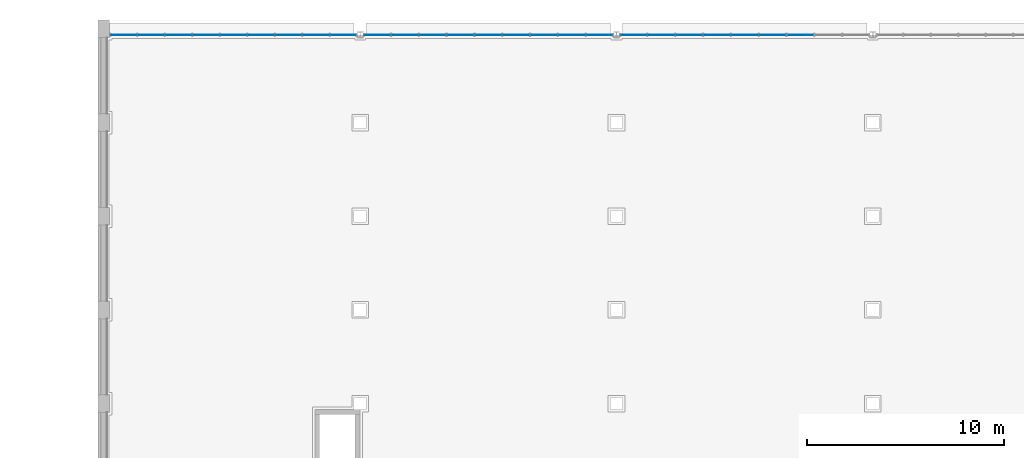
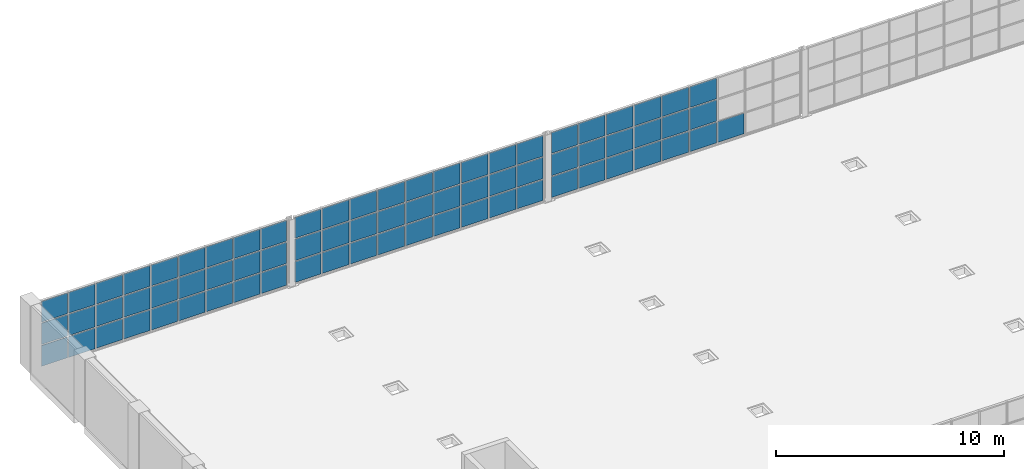
# One storey, part 39 of 82: 73 plates, 3 elements without a shape of their own.
"""IFC4 building model written with IfcOpenShell, lengths in metres."""

import ifcopenshell
import ifcopenshell.guid

model = None  # the IFC model being written
_history = None  # IfcOwnerHistory: only IFC2X3 demands one
_inside = {}  # id of a spatial element -> (the spatial element, [elements in it])
_under = {}  # id of a project, library or spatial element -> (it, [spatial elements below it])
_declared = {}  # id of a project -> (the project, [libraries it declares])
_typed = {}  # id of a type object -> (the type object, [elements of that type])
_made_of = {}  # id of a material, layer set ... -> (it, [elements and type objects made of it])


def new_model(schema):
    """Start an empty IFC model of exactly this schema.

    Asked for "IFC4X3", IfcOpenShell would pick the latest addendum, in which some entities
    have other attributes; the version numbers below select the first issue.
    IFC2X3 requires an IfcOwnerHistory on every rooted entity: one is made here for all.
    """
    global model, _history
    if schema == "IFC4X3":
        model = ifcopenshell.file(schema_version=(4, 3, 0, 0))
    else:
        model = ifcopenshell.file(schema=schema)
    _inside.clear()
    _under.clear()
    _declared.clear()
    _typed.clear()
    _made_of.clear()
    _history = None
    if model.schema == "IFC2X3":
        org = make("IfcOrganization", Name="unknown")
        user = make(
            "IfcPersonAndOrganization",
            ThePerson=make("IfcPerson", FamilyName="unknown"),
            TheOrganization=org,
        )
        app = make(
            "IfcApplication",
            ApplicationDeveloper=org,
            Version="unknown",
            ApplicationFullName="unknown",
            ApplicationIdentifier="unknown",
        )
        _history = make(
            "IfcOwnerHistory",
            OwningUser=user,
            OwningApplication=app,
            ChangeAction="ADDED",
            CreationDate=0,
        )
    return model


def make(cls, **values):
    """One entity of the class cls with the attributes given. An attribute that is None is left unset."""
    return model.create_entity(
        cls, **{name: value for name, value in values.items() if value is not None}
    )


def rooted(cls, **values):
    """An entity with a GlobalId (a new one), such as an element, a storey or a relation."""
    return make(cls, GlobalId=ifcopenshell.guid.new(), OwnerHistory=_history, **values)


def si_unit(unit_type, name, prefix=None):
    """IfcSIUnit, for example si_unit("LENGTHUNIT", "METRE", prefix="MILLI")."""
    return make("IfcSIUnit", UnitType=unit_type, Prefix=prefix, Name=name)


def assignment(units):
    """IfcUnitAssignment: the units of a project."""
    return None if units is None else make("IfcUnitAssignment", Units=units)


def point(xyz):
    """IfcCartesianPoint."""
    return None if xyz is None else make("IfcCartesianPoint", Coordinates=xyz)


def direction(xyz):
    """IfcDirection."""
    return None if xyz is None else make("IfcDirection", DirectionRatios=xyz)


def frame(location, z_axis=None, x_axis=None):
    """IfcAxis2Placement3D, a coordinate frame: its origin and axes. An axis left out is left unset."""
    return make(
        "IfcAxis2Placement3D",
        Location=point(location),
        Axis=direction(z_axis),
        RefDirection=direction(x_axis),
    )


def frame_2d(location, x_axis=None):
    """IfcAxis2Placement2D, a coordinate frame in the plane: its origin and x axis."""
    return make(
        "IfcAxis2Placement2D", Location=point(location), RefDirection=direction(x_axis)
    )


def origin():
    """The frame at (0, 0, 0) with its axes left unset."""
    return frame((0.0, 0.0, 0.0))


def origin_2d():
    """The frame at (0, 0) in the plane with its x axis left unset."""
    return frame_2d((0.0, 0.0))


def place(relative_to, where):
    """IfcLocalPlacement: puts the frame where relative to a parent placement (None: the world)."""
    return make(
        "IfcLocalPlacement", PlacementRelTo=relative_to, RelativePlacement=where
    )


def context(
    kind, dimensions, precision=None, world=None, true_north=None, identifier=None
):
    """IfcGeometricRepresentationContext, for example the 3D "Model" context."""
    return make(
        "IfcGeometricRepresentationContext",
        ContextIdentifier=identifier,
        ContextType=kind,
        CoordinateSpaceDimension=dimensions,
        Precision=precision,
        WorldCoordinateSystem=world,
        TrueNorth=true_north,
    )


def subcontext(parent, identifier, kind, view, scale=None):
    """IfcGeometricRepresentationSubContext, for example "Body" below "Model"."""
    return make(
        "IfcGeometricRepresentationSubContext",
        ContextIdentifier=identifier,
        ContextType=kind,
        ParentContext=parent,
        TargetScale=scale,
        TargetView=view,
    )


def project(units=None, contexts=None):
    """IfcProject with its units and contexts."""
    return rooted(
        "IfcProject",
        Name="project",
        RepresentationContexts=contexts,
        UnitsInContext=assignment(units),
    )


def spatial(cls, under=None, at=None, **own):
    """A site, building, storey or space (cls), placed at a placement, below another one or the project."""
    s = rooted(cls, ObjectPlacement=at, **own)
    if under is not None:
        _under.setdefault(under.id(), (under, []))[1].append(s)
    return s


def profile(cls, at=None, kind="AREA", **sizes):
    """A parametric profile (cls). Its sizes go by their IFC names, for example OverallWidth=200.0."""
    return make(cls, ProfileType=kind, Position=at, **sizes)


def rectangle(**sizes):
    """IfcRectangleProfileDef."""
    return profile("IfcRectangleProfileDef", **sizes)


def extrude(swept, where, along, depth):
    """IfcExtrudedAreaSolid: the profile swept, set in the frame where, extruded along a direction by depth."""
    return make(
        "IfcExtrudedAreaSolid",
        SweptArea=swept,
        Position=where,
        ExtrudedDirection=direction(along),
        Depth=depth,
    )


def shape(context_of_items, identifier, shape_type, items):
    """IfcShapeRepresentation: the items that make up one representation, for example the "Body"."""
    return make(
        "IfcShapeRepresentation",
        ContextOfItems=context_of_items,
        RepresentationIdentifier=identifier,
        RepresentationType=shape_type,
        Items=items,
    )


def material(Name=None, Category=None):
    """IfcMaterial."""
    return make("IfcMaterial", Name=Name, Category=Category)


def layer(
    of_material, thickness, ventilated=None, Name=None, Category=None, Priority=None
):
    """IfcMaterialLayer: one layer of a wall or slab, of a material (None: an air gap)."""
    return make(
        "IfcMaterialLayer",
        Material=of_material,
        LayerThickness=thickness,
        IsVentilated=ventilated,
        Name=Name,
        Category=Category,
        Priority=Priority,
    )


def layer_set(layers, Name=None):
    """IfcMaterialLayerSet."""
    return make("IfcMaterialLayerSet", MaterialLayers=layers, LayerSetName=Name)


def made_of(thing, what):
    """Note that an element or type object is made of a material, layer set ...; save() writes the relation."""
    if what is not None:
        _made_of.setdefault(what.id(), (what, []))[1].append(thing)
    return thing


def type_object(cls, material=None, **own):
    """A type object (cls), such as IfcWallType, which elements share."""
    return made_of(rooted(cls, **own), material)


def element(
    cls,
    number,
    at=None,
    inside=None,
    cuts=None,
    type_object=None,
    material=None,
    context=None,
    identifier="Body",
    shape_type=None,
    held_by="IfcProductDefinitionShape",
    body=None,
    shapes=None,
    **own,
):
    """One element of the class cls, such as IfcWall. Its Tag is "e" and its number.

    at: its placement. inside: the storey or other place that contains it. cuts: it is an
    opening in that element (IfcRelVoidsElement). A single representation is given by context,
    identifier, shape_type and body (its items); several are given by shapes. held_by: the class
    of the entity that holds the representations. save() writes the other relations.
    """
    e = rooted(cls, Tag="e%d" % number, ObjectPlacement=at, **own)
    if body is not None:
        shapes = [shape(context, identifier, shape_type, body)]
    if shapes is not None:
        e.Representation = make(held_by, Representations=shapes)
    if inside is not None:
        _inside.setdefault(inside.id(), (inside, []))[1].append(e)
    if cuts is not None:
        rooted(
            "IfcRelVoidsElement", RelatingBuildingElement=cuts, RelatedOpeningElement=e
        )
    if type_object is not None:
        _typed.setdefault(type_object.id(), (type_object, []))[1].append(e)
    return made_of(e, material)


def aggregate(whole, parts):
    """IfcRelAggregates: a whole, such as a stair, and the parts it consists of."""
    return rooted("IfcRelAggregates", RelatingObject=whole, RelatedObjects=parts)


def save(model, path):
    """Write the relations noted so far, then the file.

    IfcRelAggregates (storeys below a building ...), IfcRelContainedInSpatialStructure (elements
    in a storey), IfcRelDefinesByType, IfcRelAssociatesMaterial and IfcRelDeclares: one each for
    every whole, place, type object, material and project.
    """
    for whole, parts in _under.values():
        aggregate(whole, parts)
    for where, things in _inside.values():
        rooted(
            "IfcRelContainedInSpatialStructure",
            RelatedElements=things,
            RelatingStructure=where,
        )
    for kind, things in _typed.values():
        rooted("IfcRelDefinesByType", RelatedObjects=things, RelatingType=kind)
    for what, things in _made_of.values():
        rooted("IfcRelAssociatesMaterial", RelatedObjects=things, RelatingMaterial=what)
    for by, libraries in _declared.values():
        rooted("IfcRelDeclares", RelatingContext=by, RelatedDefinitions=libraries)
    model.write(path)


model = new_model("IFC4")

# Units and contexts
model_context = context("Model", 3, precision=1e-05, world=origin(), true_north=direction((0.0, 1.0)))
body_context = subcontext(model_context, "Body", "Model", "MODEL_VIEW")
ifc_project = project(units=[si_unit("LENGTHUNIT", "METRE"), si_unit("AREAUNIT", "SQUARE_METRE"), si_unit("VOLUMEUNIT", "CUBIC_METRE"), si_unit("PLANEANGLEUNIT", "RADIAN"), si_unit("MASSUNIT", "GRAM", prefix="KILO")], contexts=[model_context])

# Site, building, storey
site_placement = place(None, origin())
site = spatial("IfcSite", under=ifc_project, at=site_placement, CompositionType="ELEMENT")
building_placement = place(site_placement, origin())
building = spatial("IfcBuilding", under=site, at=building_placement, Name="Elbe Cascade School", CompositionType="ELEMENT")
storey_placement = place(building_placement, frame((0.0, 0.0, 4.5)))
storey = spatial("IfcBuildingStorey", under=building, at=storey_placement, Name="L01", CompositionType="ELEMENT", Elevation=4.5)

# Curtain wall, plates
ifc_material_1 = material(Name="Glass - double glazed low-E", Category="glass")
curtain_wall_type = type_object("IfcCurtainWallType", Name="Hall gable curtain wall", PredefinedType="NOTDEFINED", material=ifc_material_1)
curtain_wall_1_placement = place(storey_placement, origin())
curtain_wall_1 = element("IfcCurtainWall", 1, at=curtain_wall_1_placement, inside=storey, type_object=curtain_wall_type, Name="Gable curtain wall N1", PredefinedType="NOTDEFINED")
ifc_material_2 = material(Name="Glass - double glazed low-E", Category="glass")
ifc_layer = layer(ifc_material_2, 0.028076171875)
ifc_layer_set = layer_set([ifc_layer], Name="Glass - double glazed low-E")
plate_type = type_object("IfcPlateType", Name="Hall gable glass panel", PredefinedType="CURTAIN_PANEL", material=ifc_layer_set)
plate_1_placement = place(storey_placement, frame((9.01220703125, 69.199951171875, 0.06005859375), z_axis=(0.0, 0.0, 1.0), x_axis=(1.0, 0.0, 0.0)))
plate_1 = element("IfcPlate", 2, at=plate_1_placement, type_object=plate_type, Name="CW6 panel 1.1", PredefinedType="CURTAIN_PANEL", context=body_context, shape_type="SweptSolid", body=[
    extrude(rectangle(XDim=1.304443359375, YDim=0.028076171875, at=origin_2d()), origin(), (0.0, 0.0, 1.0), 1.110107421875),
])
plate_2_placement = place(storey_placement, frame((9.01220703125, 69.199951171875, 1.22998046875), z_axis=(0.0, 0.0, 1.0), x_axis=(1.0, 0.0, 0.0)))
plate_2 = element("IfcPlate", 3, at=plate_2_placement, type_object=plate_type, Name="CW6 panel 1.2", PredefinedType="CURTAIN_PANEL", context=body_context, shape_type="SweptSolid", body=[
    extrude(rectangle(XDim=1.304443359375, YDim=0.028076171875, at=origin_2d()), origin(), (0.0, 0.0, 1.0), 1.139892578125),
])
plate_3_placement = place(storey_placement, frame((9.01220703125, 69.199951171875, 2.43017578125), z_axis=(0.0, 0.0, 1.0), x_axis=(1.0, 0.0, 0.0)))
plate_3 = element("IfcPlate", 4, at=plate_3_placement, type_object=plate_type, Name="CW6 panel 1.3", PredefinedType="CURTAIN_PANEL", context=body_context, shape_type="SweptSolid", body=[
    extrude(rectangle(XDim=1.304443359375, YDim=0.028076171875, at=origin_2d()), origin(), (0.0, 0.0, 1.0), 1.110107421875),
])
plate_4_placement = place(storey_placement, frame((10.3916015625, 69.199951171875, 0.06005859375), z_axis=(0.0, 0.0, 1.0), x_axis=(1.0, 0.0, 0.0)))
plate_4 = element("IfcPlate", 5, at=plate_4_placement, type_object=plate_type, Name="CW6 panel 2.1", PredefinedType="CURTAIN_PANEL", context=body_context, shape_type="SweptSolid", body=[
    extrude(rectangle(XDim=1.33447265625, YDim=0.028076171875, at=origin_2d()), origin(), (0.0, 0.0, 1.0), 1.110107421875),
])
plate_5_placement = place(storey_placement, frame((10.3916015625, 69.199951171875, 1.22998046875), z_axis=(0.0, 0.0, 1.0), x_axis=(1.0, 0.0, 0.0)))
plate_5 = element("IfcPlate", 6, at=plate_5_placement, type_object=plate_type, Name="CW6 panel 2.2", PredefinedType="CURTAIN_PANEL", context=body_context, shape_type="SweptSolid", body=[
    extrude(rectangle(XDim=1.33447265625, YDim=0.028076171875, at=origin_2d()), origin(), (0.0, 0.0, 1.0), 1.139892578125),
])
plate_6_placement = place(storey_placement, frame((10.3916015625, 69.199951171875, 2.43017578125), z_axis=(0.0, 0.0, 1.0), x_axis=(1.0, 0.0, 0.0)))
plate_6 = element("IfcPlate", 7, at=plate_6_placement, type_object=plate_type, Name="CW6 panel 2.3", PredefinedType="CURTAIN_PANEL", context=body_context, shape_type="SweptSolid", body=[
    extrude(rectangle(XDim=1.33447265625, YDim=0.028076171875, at=origin_2d()), origin(), (0.0, 0.0, 1.0), 1.110107421875),
])
plate_7_placement = place(storey_placement, frame((11.7861328125, 69.199951171875, 0.06005859375), z_axis=(0.0, 0.0, 1.0), x_axis=(1.0, 0.0, 0.0)))
plate_7 = element("IfcPlate", 8, at=plate_7_placement, type_object=plate_type, Name="CW6 panel 3.1", PredefinedType="CURTAIN_PANEL", context=body_context, shape_type="SweptSolid", body=[
    extrude(rectangle(XDim=1.33447265625, YDim=0.028076171875, at=origin_2d()), origin(), (0.0, 0.0, 1.0), 1.110107421875),
])
plate_8_placement = place(storey_placement, frame((11.7861328125, 69.199951171875, 1.22998046875), z_axis=(0.0, 0.0, 1.0), x_axis=(1.0, 0.0, 0.0)))
plate_8 = element("IfcPlate", 9, at=plate_8_placement, type_object=plate_type, Name="CW6 panel 3.2", PredefinedType="CURTAIN_PANEL", context=body_context, shape_type="SweptSolid", body=[
    extrude(rectangle(XDim=1.33447265625, YDim=0.028076171875, at=origin_2d()), origin(), (0.0, 0.0, 1.0), 1.139892578125),
])
plate_9_placement = place(storey_placement, frame((11.7861328125, 69.199951171875, 2.43017578125), z_axis=(0.0, 0.0, 1.0), x_axis=(1.0, 0.0, 0.0)))
plate_9 = element("IfcPlate", 10, at=plate_9_placement, type_object=plate_type, Name="CW6 panel 3.3", PredefinedType="CURTAIN_PANEL", context=body_context, shape_type="SweptSolid", body=[
    extrude(rectangle(XDim=1.33447265625, YDim=0.028076171875, at=origin_2d()), origin(), (0.0, 0.0, 1.0), 1.110107421875),
])
plate_10_placement = place(storey_placement, frame((13.1806640625, 69.199951171875, 0.06005859375), z_axis=(0.0, 0.0, 1.0), x_axis=(1.0, 0.0, 0.0)))
plate_10 = element("IfcPlate", 11, at=plate_10_placement, type_object=plate_type, Name="CW6 panel 4.1", PredefinedType="CURTAIN_PANEL", context=body_context, shape_type="SweptSolid", body=[
    extrude(rectangle(XDim=1.33447265625, YDim=0.028076171875, at=origin_2d()), origin(), (0.0, 0.0, 1.0), 1.110107421875),
])
plate_11_placement = place(storey_placement, frame((13.1806640625, 69.199951171875, 1.22998046875), z_axis=(0.0, 0.0, 1.0), x_axis=(1.0, 0.0, 0.0)))
plate_11 = element("IfcPlate", 12, at=plate_11_placement, type_object=plate_type, Name="CW6 panel 4.2", PredefinedType="CURTAIN_PANEL", context=body_context, shape_type="SweptSolid", body=[
    extrude(rectangle(XDim=1.33447265625, YDim=0.028076171875, at=origin_2d()), origin(), (0.0, 0.0, 1.0), 1.139892578125),
])
plate_12_placement = place(storey_placement, frame((13.1806640625, 69.199951171875, 2.43017578125), z_axis=(0.0, 0.0, 1.0), x_axis=(1.0, 0.0, 0.0)))
plate_12 = element("IfcPlate", 13, at=plate_12_placement, type_object=plate_type, Name="CW6 panel 4.3", PredefinedType="CURTAIN_PANEL", context=body_context, shape_type="SweptSolid", body=[
    extrude(rectangle(XDim=1.33447265625, YDim=0.028076171875, at=origin_2d()), origin(), (0.0, 0.0, 1.0), 1.110107421875),
])
plate_13_placement = place(storey_placement, frame((14.574951171875, 69.199951171875, 0.06005859375), z_axis=(0.0, 0.0, 1.0), x_axis=(1.0, 0.0, 0.0)))
plate_13 = element("IfcPlate", 14, at=plate_13_placement, type_object=plate_type, Name="CW6 panel 5.1", PredefinedType="CURTAIN_PANEL", context=body_context, shape_type="SweptSolid", body=[
    extrude(rectangle(XDim=1.33447265625, YDim=0.028076171875, at=origin_2d()), origin(), (0.0, 0.0, 1.0), 1.110107421875),
])
plate_14_placement = place(storey_placement, frame((14.574951171875, 69.199951171875, 1.22998046875), z_axis=(0.0, 0.0, 1.0), x_axis=(1.0, 0.0, 0.0)))
plate_14 = element("IfcPlate", 15, at=plate_14_placement, type_object=plate_type, Name="CW6 panel 5.2", PredefinedType="CURTAIN_PANEL", context=body_context, shape_type="SweptSolid", body=[
    extrude(rectangle(XDim=1.33447265625, YDim=0.028076171875, at=origin_2d()), origin(), (0.0, 0.0, 1.0), 1.139892578125),
])
plate_15_placement = place(storey_placement, frame((14.574951171875, 69.199951171875, 2.43017578125), z_axis=(0.0, 0.0, 1.0), x_axis=(1.0, 0.0, 0.0)))
plate_15 = element("IfcPlate", 16, at=plate_15_placement, type_object=plate_type, Name="CW6 panel 5.3", PredefinedType="CURTAIN_PANEL", context=body_context, shape_type="SweptSolid", body=[
    extrude(rectangle(XDim=1.33447265625, YDim=0.028076171875, at=origin_2d()), origin(), (0.0, 0.0, 1.0), 1.110107421875),
])
plate_16_placement = place(storey_placement, frame((15.969482421875, 69.199951171875, 0.06005859375), z_axis=(0.0, 0.0, 1.0), x_axis=(1.0, 0.0, 0.0)))
plate_16 = element("IfcPlate", 17, at=plate_16_placement, type_object=plate_type, Name="CW6 panel 6.1", PredefinedType="CURTAIN_PANEL", context=body_context, shape_type="SweptSolid", body=[
    extrude(rectangle(XDim=1.33447265625, YDim=0.028076171875, at=origin_2d()), origin(), (0.0, 0.0, 1.0), 1.110107421875),
])
plate_17_placement = place(storey_placement, frame((15.969482421875, 69.199951171875, 1.22998046875), z_axis=(0.0, 0.0, 1.0), x_axis=(1.0, 0.0, 0.0)))
plate_17 = element("IfcPlate", 18, at=plate_17_placement, type_object=plate_type, Name="CW6 panel 6.2", PredefinedType="CURTAIN_PANEL", context=body_context, shape_type="SweptSolid", body=[
    extrude(rectangle(XDim=1.33447265625, YDim=0.028076171875, at=origin_2d()), origin(), (0.0, 0.0, 1.0), 1.139892578125),
])
plate_18_placement = place(storey_placement, frame((15.969482421875, 69.199951171875, 2.43017578125), z_axis=(0.0, 0.0, 1.0), x_axis=(1.0, 0.0, 0.0)))
plate_18 = element("IfcPlate", 19, at=plate_18_placement, type_object=plate_type, Name="CW6 panel 6.3", PredefinedType="CURTAIN_PANEL", context=body_context, shape_type="SweptSolid", body=[
    extrude(rectangle(XDim=1.33447265625, YDim=0.028076171875, at=origin_2d()), origin(), (0.0, 0.0, 1.0), 1.110107421875),
])
plate_19_placement = place(storey_placement, frame((17.36376953125, 69.199951171875, 0.06005859375), z_axis=(0.0, 0.0, 1.0), x_axis=(1.0, 0.0, 0.0)))
plate_19 = element("IfcPlate", 20, at=plate_19_placement, type_object=plate_type, Name="CW6 panel 7.1", PredefinedType="CURTAIN_PANEL", context=body_context, shape_type="SweptSolid", body=[
    extrude(rectangle(XDim=1.33447265625, YDim=0.028076171875, at=origin_2d()), origin(), (0.0, 0.0, 1.0), 1.110107421875),
])
plate_20_placement = place(storey_placement, frame((17.36376953125, 69.199951171875, 1.22998046875), z_axis=(0.0, 0.0, 1.0), x_axis=(1.0, 0.0, 0.0)))
plate_20 = element("IfcPlate", 21, at=plate_20_placement, type_object=plate_type, Name="CW6 panel 7.2", PredefinedType="CURTAIN_PANEL", context=body_context, shape_type="SweptSolid", body=[
    extrude(rectangle(XDim=1.33447265625, YDim=0.028076171875, at=origin_2d()), origin(), (0.0, 0.0, 1.0), 1.139892578125),
])
plate_21_placement = place(storey_placement, frame((17.36376953125, 69.199951171875, 2.43017578125), z_axis=(0.0, 0.0, 1.0), x_axis=(1.0, 0.0, 0.0)))
plate_21 = element("IfcPlate", 22, at=plate_21_placement, type_object=plate_type, Name="CW6 panel 7.3", PredefinedType="CURTAIN_PANEL", context=body_context, shape_type="SweptSolid", body=[
    extrude(rectangle(XDim=1.33447265625, YDim=0.028076171875, at=origin_2d()), origin(), (0.0, 0.0, 1.0), 1.110107421875),
])
plate_22_placement = place(storey_placement, frame((18.75830078125, 69.199951171875, 0.06005859375), z_axis=(0.0, 0.0, 1.0), x_axis=(1.0, 0.0, 0.0)))
plate_22 = element("IfcPlate", 23, at=plate_22_placement, type_object=plate_type, Name="CW6 panel 8.1", PredefinedType="CURTAIN_PANEL", context=body_context, shape_type="SweptSolid", body=[
    extrude(rectangle(XDim=1.33447265625, YDim=0.028076171875, at=origin_2d()), origin(), (0.0, 0.0, 1.0), 1.110107421875),
])
plate_23_placement = place(storey_placement, frame((18.75830078125, 69.199951171875, 1.22998046875), z_axis=(0.0, 0.0, 1.0), x_axis=(1.0, 0.0, 0.0)))
plate_23 = element("IfcPlate", 24, at=plate_23_placement, type_object=plate_type, Name="CW6 panel 8.2", PredefinedType="CURTAIN_PANEL", context=body_context, shape_type="SweptSolid", body=[
    extrude(rectangle(XDim=1.33447265625, YDim=0.028076171875, at=origin_2d()), origin(), (0.0, 0.0, 1.0), 1.139892578125),
])
plate_24_placement = place(storey_placement, frame((18.75830078125, 69.199951171875, 2.43017578125), z_axis=(0.0, 0.0, 1.0), x_axis=(1.0, 0.0, 0.0)))
plate_24 = element("IfcPlate", 25, at=plate_24_placement, type_object=plate_type, Name="CW6 panel 8.3", PredefinedType="CURTAIN_PANEL", context=body_context, shape_type="SweptSolid", body=[
    extrude(rectangle(XDim=1.33447265625, YDim=0.028076171875, at=origin_2d()), origin(), (0.0, 0.0, 1.0), 1.110107421875),
])
plate_25_placement = place(storey_placement, frame((20.1376953125, 69.199951171875, 0.06005859375), z_axis=(0.0, 0.0, 1.0), x_axis=(1.0, 0.0, 0.0)))
plate_25 = element("IfcPlate", 26, at=plate_25_placement, type_object=plate_type, Name="CW6 panel 9.1", PredefinedType="CURTAIN_PANEL", context=body_context, shape_type="SweptSolid", body=[
    extrude(rectangle(XDim=1.304443359375, YDim=0.028076171875, at=origin_2d()), origin(), (0.0, 0.0, 1.0), 1.110107421875),
])
plate_26_placement = place(storey_placement, frame((20.1376953125, 69.199951171875, 1.22998046875), z_axis=(0.0, 0.0, 1.0), x_axis=(1.0, 0.0, 0.0)))
plate_26 = element("IfcPlate", 27, at=plate_26_placement, type_object=plate_type, Name="CW6 panel 9.2", PredefinedType="CURTAIN_PANEL", context=body_context, shape_type="SweptSolid", body=[
    extrude(rectangle(XDim=1.304443359375, YDim=0.028076171875, at=origin_2d()), origin(), (0.0, 0.0, 1.0), 1.139892578125),
])
plate_27_placement = place(storey_placement, frame((20.1376953125, 69.199951171875, 2.43017578125), z_axis=(0.0, 0.0, 1.0), x_axis=(1.0, 0.0, 0.0)))
plate_27 = element("IfcPlate", 28, at=plate_27_placement, type_object=plate_type, Name="CW6 panel 9.3", PredefinedType="CURTAIN_PANEL", context=body_context, shape_type="SweptSolid", body=[
    extrude(rectangle(XDim=1.304443359375, YDim=0.028076171875, at=origin_2d()), origin(), (0.0, 0.0, 1.0), 1.110107421875),
])
aggregate(curtain_wall_1, [plate_1, plate_2, plate_3, plate_4, plate_5, plate_6, plate_7, plate_8, plate_9, plate_10, plate_11, plate_12, plate_13, plate_14, plate_15, plate_16, plate_17, plate_18, plate_19, plate_20, plate_21, plate_22, plate_23, plate_24, plate_25, plate_26, plate_27])

curtain_wall_2_placement = place(storey_placement, origin())
curtain_wall_2 = element("IfcCurtainWall", 29, at=curtain_wall_2_placement, inside=storey, type_object=curtain_wall_type, Name="Gable curtain wall N2", PredefinedType="NOTDEFINED")
plate_28_placement = place(storey_placement, frame((21.87060546875, 69.199951171875, 0.06005859375), z_axis=(0.0, 0.0, 1.0), x_axis=(1.0, 0.0, 0.0)))
plate_28 = element("IfcPlate", 30, at=plate_28_placement, type_object=plate_type, Name="CW6 panel 1.1", PredefinedType="CURTAIN_PANEL", context=body_context, shape_type="SweptSolid", body=[
    extrude(rectangle(XDim=1.321044921875, YDim=0.028076171875, at=origin_2d()), origin(), (0.0, 0.0, 1.0), 1.110107421875),
])
plate_29_placement = place(storey_placement, frame((21.87060546875, 69.199951171875, 1.22998046875), z_axis=(0.0, 0.0, 1.0), x_axis=(1.0, 0.0, 0.0)))
plate_29 = element("IfcPlate", 31, at=plate_29_placement, type_object=plate_type, Name="CW6 panel 1.2", PredefinedType="CURTAIN_PANEL", context=body_context, shape_type="SweptSolid", body=[
    extrude(rectangle(XDim=1.321044921875, YDim=0.028076171875, at=origin_2d()), origin(), (0.0, 0.0, 1.0), 1.139892578125),
])
plate_30_placement = place(storey_placement, frame((21.87060546875, 69.199951171875, 2.43017578125), z_axis=(0.0, 0.0, 1.0), x_axis=(1.0, 0.0, 0.0)))
plate_30 = element("IfcPlate", 32, at=plate_30_placement, type_object=plate_type, Name="CW6 panel 1.3", PredefinedType="CURTAIN_PANEL", context=body_context, shape_type="SweptSolid", body=[
    extrude(rectangle(XDim=1.321044921875, YDim=0.028076171875, at=origin_2d()), origin(), (0.0, 0.0, 1.0), 1.110107421875),
])
plate_31_placement = place(storey_placement, frame((23.2666015625, 69.199951171875, 0.06005859375), z_axis=(0.0, 0.0, 1.0), x_axis=(1.0, 0.0, 0.0)))
plate_31 = element("IfcPlate", 33, at=plate_31_placement, type_object=plate_type, Name="CW6 panel 2.1", PredefinedType="CURTAIN_PANEL", context=body_context, shape_type="SweptSolid", body=[
    extrude(rectangle(XDim=1.35107421875, YDim=0.028076171875, at=origin_2d()), origin(), (0.0, 0.0, 1.0), 1.110107421875),
])
plate_32_placement = place(storey_placement, frame((23.2666015625, 69.199951171875, 1.22998046875), z_axis=(0.0, 0.0, 1.0), x_axis=(1.0, 0.0, 0.0)))
plate_32 = element("IfcPlate", 34, at=plate_32_placement, type_object=plate_type, Name="CW6 panel 2.2", PredefinedType="CURTAIN_PANEL", context=body_context, shape_type="SweptSolid", body=[
    extrude(rectangle(XDim=1.35107421875, YDim=0.028076171875, at=origin_2d()), origin(), (0.0, 0.0, 1.0), 1.139892578125),
])
plate_33_placement = place(storey_placement, frame((23.2666015625, 69.199951171875, 2.43017578125), z_axis=(0.0, 0.0, 1.0), x_axis=(1.0, 0.0, 0.0)))
plate_33 = element("IfcPlate", 35, at=plate_33_placement, type_object=plate_type, Name="CW6 panel 2.3", PredefinedType="CURTAIN_PANEL", context=body_context, shape_type="SweptSolid", body=[
    extrude(rectangle(XDim=1.35107421875, YDim=0.028076171875, at=origin_2d()), origin(), (0.0, 0.0, 1.0), 1.110107421875),
])
plate_34_placement = place(storey_placement, frame((24.677734375, 69.199951171875, 0.06005859375), z_axis=(0.0, 0.0, 1.0), x_axis=(1.0, 0.0, 0.0)))
plate_34 = element("IfcPlate", 36, at=plate_34_placement, type_object=plate_type, Name="CW6 panel 3.1", PredefinedType="CURTAIN_PANEL", context=body_context, shape_type="SweptSolid", body=[
    extrude(rectangle(XDim=1.35107421875, YDim=0.028076171875, at=origin_2d()), origin(), (0.0, 0.0, 1.0), 1.110107421875),
])
plate_35_placement = place(storey_placement, frame((24.677734375, 69.199951171875, 1.22998046875), z_axis=(0.0, 0.0, 1.0), x_axis=(1.0, 0.0, 0.0)))
plate_35 = element("IfcPlate", 37, at=plate_35_placement, type_object=plate_type, Name="CW6 panel 3.2", PredefinedType="CURTAIN_PANEL", context=body_context, shape_type="SweptSolid", body=[
    extrude(rectangle(XDim=1.35107421875, YDim=0.028076171875, at=origin_2d()), origin(), (0.0, 0.0, 1.0), 1.139892578125),
])
plate_36_placement = place(storey_placement, frame((24.677734375, 69.199951171875, 2.43017578125), z_axis=(0.0, 0.0, 1.0), x_axis=(1.0, 0.0, 0.0)))
plate_36 = element("IfcPlate", 38, at=plate_36_placement, type_object=plate_type, Name="CW6 panel 3.3", PredefinedType="CURTAIN_PANEL", context=body_context, shape_type="SweptSolid", body=[
    extrude(rectangle(XDim=1.35107421875, YDim=0.028076171875, at=origin_2d()), origin(), (0.0, 0.0, 1.0), 1.110107421875),
])
plate_37_placement = place(storey_placement, frame((26.0888671875, 69.199951171875, 0.06005859375), z_axis=(0.0, 0.0, 1.0), x_axis=(1.0, 0.0, 0.0)))
plate_37 = element("IfcPlate", 39, at=plate_37_placement, type_object=plate_type, Name="CW6 panel 4.1", PredefinedType="CURTAIN_PANEL", context=body_context, shape_type="SweptSolid", body=[
    extrude(rectangle(XDim=1.35107421875, YDim=0.028076171875, at=origin_2d()), origin(), (0.0, 0.0, 1.0), 1.110107421875),
])
plate_38_placement = place(storey_placement, frame((26.0888671875, 69.199951171875, 1.22998046875), z_axis=(0.0, 0.0, 1.0), x_axis=(1.0, 0.0, 0.0)))
plate_38 = element("IfcPlate", 40, at=plate_38_placement, type_object=plate_type, Name="CW6 panel 4.2", PredefinedType="CURTAIN_PANEL", context=body_context, shape_type="SweptSolid", body=[
    extrude(rectangle(XDim=1.35107421875, YDim=0.028076171875, at=origin_2d()), origin(), (0.0, 0.0, 1.0), 1.139892578125),
])
plate_39_placement = place(storey_placement, frame((26.0888671875, 69.199951171875, 2.43017578125), z_axis=(0.0, 0.0, 1.0), x_axis=(1.0, 0.0, 0.0)))
plate_39 = element("IfcPlate", 41, at=plate_39_placement, type_object=plate_type, Name="CW6 panel 4.3", PredefinedType="CURTAIN_PANEL", context=body_context, shape_type="SweptSolid", body=[
    extrude(rectangle(XDim=1.35107421875, YDim=0.028076171875, at=origin_2d()), origin(), (0.0, 0.0, 1.0), 1.110107421875),
])
plate_40_placement = place(storey_placement, frame((27.5, 69.199951171875, 0.06005859375), z_axis=(0.0, 0.0, 1.0), x_axis=(1.0, 0.0, 0.0)))
plate_40 = element("IfcPlate", 42, at=plate_40_placement, type_object=plate_type, Name="CW6 panel 5.1", PredefinedType="CURTAIN_PANEL", context=body_context, shape_type="SweptSolid", body=[
    extrude(rectangle(XDim=1.35107421875, YDim=0.028076171875, at=origin_2d()), origin(), (0.0, 0.0, 1.0), 1.110107421875),
])
plate_41_placement = place(storey_placement, frame((27.5, 69.199951171875, 1.22998046875), z_axis=(0.0, 0.0, 1.0), x_axis=(1.0, 0.0, 0.0)))
plate_41 = element("IfcPlate", 43, at=plate_41_placement, type_object=plate_type, Name="CW6 panel 5.2", PredefinedType="CURTAIN_PANEL", context=body_context, shape_type="SweptSolid", body=[
    extrude(rectangle(XDim=1.35107421875, YDim=0.028076171875, at=origin_2d()), origin(), (0.0, 0.0, 1.0), 1.139892578125),
])
plate_42_placement = place(storey_placement, frame((27.5, 69.199951171875, 2.43017578125), z_axis=(0.0, 0.0, 1.0), x_axis=(1.0, 0.0, 0.0)))
plate_42 = element("IfcPlate", 44, at=plate_42_placement, type_object=plate_type, Name="CW6 panel 5.3", PredefinedType="CURTAIN_PANEL", context=body_context, shape_type="SweptSolid", body=[
    extrude(rectangle(XDim=1.35107421875, YDim=0.028076171875, at=origin_2d()), origin(), (0.0, 0.0, 1.0), 1.110107421875),
])
plate_43_placement = place(storey_placement, frame((28.9111328125, 69.199951171875, 0.06005859375), z_axis=(0.0, 0.0, 1.0), x_axis=(1.0, 0.0, 0.0)))
plate_43 = element("IfcPlate", 45, at=plate_43_placement, type_object=plate_type, Name="CW6 panel 6.1", PredefinedType="CURTAIN_PANEL", context=body_context, shape_type="SweptSolid", body=[
    extrude(rectangle(XDim=1.35107421875, YDim=0.028076171875, at=origin_2d()), origin(), (0.0, 0.0, 1.0), 1.110107421875),
])
plate_44_placement = place(storey_placement, frame((28.9111328125, 69.199951171875, 1.22998046875), z_axis=(0.0, 0.0, 1.0), x_axis=(1.0, 0.0, 0.0)))
plate_44 = element("IfcPlate", 46, at=plate_44_placement, type_object=plate_type, Name="CW6 panel 6.2", PredefinedType="CURTAIN_PANEL", context=body_context, shape_type="SweptSolid", body=[
    extrude(rectangle(XDim=1.35107421875, YDim=0.028076171875, at=origin_2d()), origin(), (0.0, 0.0, 1.0), 1.139892578125),
])
plate_45_placement = place(storey_placement, frame((28.9111328125, 69.199951171875, 2.43017578125), z_axis=(0.0, 0.0, 1.0), x_axis=(1.0, 0.0, 0.0)))
plate_45 = element("IfcPlate", 47, at=plate_45_placement, type_object=plate_type, Name="CW6 panel 6.3", PredefinedType="CURTAIN_PANEL", context=body_context, shape_type="SweptSolid", body=[
    extrude(rectangle(XDim=1.35107421875, YDim=0.028076171875, at=origin_2d()), origin(), (0.0, 0.0, 1.0), 1.110107421875),
])
plate_46_placement = place(storey_placement, frame((30.322265625, 69.199951171875, 0.06005859375), z_axis=(0.0, 0.0, 1.0), x_axis=(1.0, 0.0, 0.0)))
plate_46 = element("IfcPlate", 48, at=plate_46_placement, type_object=plate_type, Name="CW6 panel 7.1", PredefinedType="CURTAIN_PANEL", context=body_context, shape_type="SweptSolid", body=[
    extrude(rectangle(XDim=1.35107421875, YDim=0.028076171875, at=origin_2d()), origin(), (0.0, 0.0, 1.0), 1.110107421875),
])
plate_47_placement = place(storey_placement, frame((30.322265625, 69.199951171875, 1.22998046875), z_axis=(0.0, 0.0, 1.0), x_axis=(1.0, 0.0, 0.0)))
plate_47 = element("IfcPlate", 49, at=plate_47_placement, type_object=plate_type, Name="CW6 panel 7.2", PredefinedType="CURTAIN_PANEL", context=body_context, shape_type="SweptSolid", body=[
    extrude(rectangle(XDim=1.35107421875, YDim=0.028076171875, at=origin_2d()), origin(), (0.0, 0.0, 1.0), 1.139892578125),
])
plate_48_placement = place(storey_placement, frame((30.322265625, 69.199951171875, 2.43017578125), z_axis=(0.0, 0.0, 1.0), x_axis=(1.0, 0.0, 0.0)))
plate_48 = element("IfcPlate", 50, at=plate_48_placement, type_object=plate_type, Name="CW6 panel 7.3", PredefinedType="CURTAIN_PANEL", context=body_context, shape_type="SweptSolid", body=[
    extrude(rectangle(XDim=1.35107421875, YDim=0.028076171875, at=origin_2d()), origin(), (0.0, 0.0, 1.0), 1.110107421875),
])
plate_49_placement = place(storey_placement, frame((31.7333984375, 69.199951171875, 0.06005859375), z_axis=(0.0, 0.0, 1.0), x_axis=(1.0, 0.0, 0.0)))
plate_49 = element("IfcPlate", 51, at=plate_49_placement, type_object=plate_type, Name="CW6 panel 8.1", PredefinedType="CURTAIN_PANEL", context=body_context, shape_type="SweptSolid", body=[
    extrude(rectangle(XDim=1.35107421875, YDim=0.028076171875, at=origin_2d()), origin(), (0.0, 0.0, 1.0), 1.110107421875),
])
plate_50_placement = place(storey_placement, frame((31.7333984375, 69.199951171875, 1.22998046875), z_axis=(0.0, 0.0, 1.0), x_axis=(1.0, 0.0, 0.0)))
plate_50 = element("IfcPlate", 52, at=plate_50_placement, type_object=plate_type, Name="CW6 panel 8.2", PredefinedType="CURTAIN_PANEL", context=body_context, shape_type="SweptSolid", body=[
    extrude(rectangle(XDim=1.35107421875, YDim=0.028076171875, at=origin_2d()), origin(), (0.0, 0.0, 1.0), 1.139892578125),
])
plate_51_placement = place(storey_placement, frame((31.7333984375, 69.199951171875, 2.43017578125), z_axis=(0.0, 0.0, 1.0), x_axis=(1.0, 0.0, 0.0)))
plate_51 = element("IfcPlate", 53, at=plate_51_placement, type_object=plate_type, Name="CW6 panel 8.3", PredefinedType="CURTAIN_PANEL", context=body_context, shape_type="SweptSolid", body=[
    extrude(rectangle(XDim=1.35107421875, YDim=0.028076171875, at=origin_2d()), origin(), (0.0, 0.0, 1.0), 1.110107421875),
])
plate_52_placement = place(storey_placement, frame((33.12939453125, 69.199951171875, 0.06005859375), z_axis=(0.0, 0.0, 1.0), x_axis=(1.0, 0.0, 0.0)))
plate_52 = element("IfcPlate", 54, at=plate_52_placement, type_object=plate_type, Name="CW6 panel 9.1", PredefinedType="CURTAIN_PANEL", context=body_context, shape_type="SweptSolid", body=[
    extrude(rectangle(XDim=1.321044921875, YDim=0.028076171875, at=origin_2d()), origin(), (0.0, 0.0, 1.0), 1.110107421875),
])
plate_53_placement = place(storey_placement, frame((33.12939453125, 69.199951171875, 1.22998046875), z_axis=(0.0, 0.0, 1.0), x_axis=(1.0, 0.0, 0.0)))
plate_53 = element("IfcPlate", 55, at=plate_53_placement, type_object=plate_type, Name="CW6 panel 9.2", PredefinedType="CURTAIN_PANEL", context=body_context, shape_type="SweptSolid", body=[
    extrude(rectangle(XDim=1.321044921875, YDim=0.028076171875, at=origin_2d()), origin(), (0.0, 0.0, 1.0), 1.139892578125),
])
plate_54_placement = place(storey_placement, frame((33.12939453125, 69.199951171875, 2.43017578125), z_axis=(0.0, 0.0, 1.0), x_axis=(1.0, 0.0, 0.0)))
plate_54 = element("IfcPlate", 56, at=plate_54_placement, type_object=plate_type, Name="CW6 panel 9.3", PredefinedType="CURTAIN_PANEL", context=body_context, shape_type="SweptSolid", body=[
    extrude(rectangle(XDim=1.321044921875, YDim=0.028076171875, at=origin_2d()), origin(), (0.0, 0.0, 1.0), 1.110107421875),
])
aggregate(curtain_wall_2, [plate_28, plate_29, plate_30, plate_31, plate_32, plate_33, plate_34, plate_35, plate_36, plate_37, plate_38, plate_39, plate_40, plate_41, plate_42, plate_43, plate_44, plate_45, plate_46, plate_47, plate_48, plate_49, plate_50, plate_51, plate_52, plate_53, plate_54])

curtain_wall_3_placement = place(storey_placement, origin())
curtain_wall_3 = element("IfcCurtainWall", 57, at=curtain_wall_3_placement, inside=storey, type_object=curtain_wall_type, Name="Gable curtain wall N3", PredefinedType="NOTDEFINED")
plate_55_placement = place(storey_placement, frame((34.87060546875, 69.199951171875, 0.06005859375), z_axis=(0.0, 0.0, 1.0), x_axis=(1.0, 0.0, 0.0)))
plate_55 = element("IfcPlate", 58, at=plate_55_placement, type_object=plate_type, Name="CW6 panel 1.1", PredefinedType="CURTAIN_PANEL", context=body_context, shape_type="SweptSolid", body=[
    extrude(rectangle(XDim=1.321044921875, YDim=0.028076171875, at=origin_2d()), origin(), (0.0, 0.0, 1.0), 1.110107421875),
])
plate_56_placement = place(storey_placement, frame((34.87060546875, 69.199951171875, 1.22998046875), z_axis=(0.0, 0.0, 1.0), x_axis=(1.0, 0.0, 0.0)))
plate_56 = element("IfcPlate", 59, at=plate_56_placement, type_object=plate_type, Name="CW6 panel 1.2", PredefinedType="CURTAIN_PANEL", context=body_context, shape_type="SweptSolid", body=[
    extrude(rectangle(XDim=1.321044921875, YDim=0.028076171875, at=origin_2d()), origin(), (0.0, 0.0, 1.0), 1.139892578125),
])
plate_57_placement = place(storey_placement, frame((34.87060546875, 69.199951171875, 2.43017578125), z_axis=(0.0, 0.0, 1.0), x_axis=(1.0, 0.0, 0.0)))
plate_57 = element("IfcPlate", 60, at=plate_57_placement, type_object=plate_type, Name="CW6 panel 1.3", PredefinedType="CURTAIN_PANEL", context=body_context, shape_type="SweptSolid", body=[
    extrude(rectangle(XDim=1.321044921875, YDim=0.028076171875, at=origin_2d()), origin(), (0.0, 0.0, 1.0), 1.110107421875),
])
plate_58_placement = place(storey_placement, frame((36.2666015625, 69.199951171875, 0.06005859375), z_axis=(0.0, 0.0, 1.0), x_axis=(1.0, 0.0, 0.0)))
plate_58 = element("IfcPlate", 61, at=plate_58_placement, type_object=plate_type, Name="CW6 panel 2.1", PredefinedType="CURTAIN_PANEL", context=body_context, shape_type="SweptSolid", body=[
    extrude(rectangle(XDim=1.35107421875, YDim=0.028076171875, at=origin_2d()), origin(), (0.0, 0.0, 1.0), 1.110107421875),
])
plate_59_placement = place(storey_placement, frame((36.2666015625, 69.199951171875, 1.22998046875), z_axis=(0.0, 0.0, 1.0), x_axis=(1.0, 0.0, 0.0)))
plate_59 = element("IfcPlate", 62, at=plate_59_placement, type_object=plate_type, Name="CW6 panel 2.2", PredefinedType="CURTAIN_PANEL", context=body_context, shape_type="SweptSolid", body=[
    extrude(rectangle(XDim=1.35107421875, YDim=0.028076171875, at=origin_2d()), origin(), (0.0, 0.0, 1.0), 1.139892578125),
])
plate_60_placement = place(storey_placement, frame((36.2666015625, 69.199951171875, 2.43017578125), z_axis=(0.0, 0.0, 1.0), x_axis=(1.0, 0.0, 0.0)))
plate_60 = element("IfcPlate", 63, at=plate_60_placement, type_object=plate_type, Name="CW6 panel 2.3", PredefinedType="CURTAIN_PANEL", context=body_context, shape_type="SweptSolid", body=[
    extrude(rectangle(XDim=1.35107421875, YDim=0.028076171875, at=origin_2d()), origin(), (0.0, 0.0, 1.0), 1.110107421875),
])
plate_61_placement = place(storey_placement, frame((37.677734375, 69.199951171875, 0.06005859375), z_axis=(0.0, 0.0, 1.0), x_axis=(1.0, 0.0, 0.0)))
plate_61 = element("IfcPlate", 64, at=plate_61_placement, type_object=plate_type, Name="CW6 panel 3.1", PredefinedType="CURTAIN_PANEL", context=body_context, shape_type="SweptSolid", body=[
    extrude(rectangle(XDim=1.35107421875, YDim=0.028076171875, at=origin_2d()), origin(), (0.0, 0.0, 1.0), 1.110107421875),
])
plate_62_placement = place(storey_placement, frame((37.677734375, 69.199951171875, 1.22998046875), z_axis=(0.0, 0.0, 1.0), x_axis=(1.0, 0.0, 0.0)))
plate_62 = element("IfcPlate", 65, at=plate_62_placement, type_object=plate_type, Name="CW6 panel 3.2", PredefinedType="CURTAIN_PANEL", context=body_context, shape_type="SweptSolid", body=[
    extrude(rectangle(XDim=1.35107421875, YDim=0.028076171875, at=origin_2d()), origin(), (0.0, 0.0, 1.0), 1.139892578125),
])
plate_63_placement = place(storey_placement, frame((37.677734375, 69.199951171875, 2.43017578125), z_axis=(0.0, 0.0, 1.0), x_axis=(1.0, 0.0, 0.0)))
plate_63 = element("IfcPlate", 66, at=plate_63_placement, type_object=plate_type, Name="CW6 panel 3.3", PredefinedType="CURTAIN_PANEL", context=body_context, shape_type="SweptSolid", body=[
    extrude(rectangle(XDim=1.35107421875, YDim=0.028076171875, at=origin_2d()), origin(), (0.0, 0.0, 1.0), 1.110107421875),
])
plate_64_placement = place(storey_placement, frame((39.0888671875, 69.199951171875, 0.06005859375), z_axis=(0.0, 0.0, 1.0), x_axis=(1.0, 0.0, 0.0)))
plate_64 = element("IfcPlate", 67, at=plate_64_placement, type_object=plate_type, Name="CW6 panel 4.1", PredefinedType="CURTAIN_PANEL", context=body_context, shape_type="SweptSolid", body=[
    extrude(rectangle(XDim=1.35107421875, YDim=0.028076171875, at=origin_2d()), origin(), (0.0, 0.0, 1.0), 1.110107421875),
])
plate_65_placement = place(storey_placement, frame((39.0888671875, 69.199951171875, 1.22998046875), z_axis=(0.0, 0.0, 1.0), x_axis=(1.0, 0.0, 0.0)))
plate_65 = element("IfcPlate", 68, at=plate_65_placement, type_object=plate_type, Name="CW6 panel 4.2", PredefinedType="CURTAIN_PANEL", context=body_context, shape_type="SweptSolid", body=[
    extrude(rectangle(XDim=1.35107421875, YDim=0.028076171875, at=origin_2d()), origin(), (0.0, 0.0, 1.0), 1.139892578125),
])
plate_66_placement = place(storey_placement, frame((39.0888671875, 69.199951171875, 2.43017578125), z_axis=(0.0, 0.0, 1.0), x_axis=(1.0, 0.0, 0.0)))
plate_66 = element("IfcPlate", 69, at=plate_66_placement, type_object=plate_type, Name="CW6 panel 4.3", PredefinedType="CURTAIN_PANEL", context=body_context, shape_type="SweptSolid", body=[
    extrude(rectangle(XDim=1.35107421875, YDim=0.028076171875, at=origin_2d()), origin(), (0.0, 0.0, 1.0), 1.110107421875),
])
plate_67_placement = place(storey_placement, frame((40.5, 69.199951171875, 0.06005859375), z_axis=(0.0, 0.0, 1.0), x_axis=(1.0, 0.0, 0.0)))
plate_67 = element("IfcPlate", 70, at=plate_67_placement, type_object=plate_type, Name="CW6 panel 5.1", PredefinedType="CURTAIN_PANEL", context=body_context, shape_type="SweptSolid", body=[
    extrude(rectangle(XDim=1.35107421875, YDim=0.028076171875, at=origin_2d()), origin(), (0.0, 0.0, 1.0), 1.110107421875),
])
plate_68_placement = place(storey_placement, frame((40.5, 69.199951171875, 1.22998046875), z_axis=(0.0, 0.0, 1.0), x_axis=(1.0, 0.0, 0.0)))
plate_68 = element("IfcPlate", 71, at=plate_68_placement, type_object=plate_type, Name="CW6 panel 5.2", PredefinedType="CURTAIN_PANEL", context=body_context, shape_type="SweptSolid", body=[
    extrude(rectangle(XDim=1.35107421875, YDim=0.028076171875, at=origin_2d()), origin(), (0.0, 0.0, 1.0), 1.139892578125),
])
plate_69_placement = place(storey_placement, frame((40.5, 69.199951171875, 2.43017578125), z_axis=(0.0, 0.0, 1.0), x_axis=(1.0, 0.0, 0.0)))
plate_69 = element("IfcPlate", 72, at=plate_69_placement, type_object=plate_type, Name="CW6 panel 5.3", PredefinedType="CURTAIN_PANEL", context=body_context, shape_type="SweptSolid", body=[
    extrude(rectangle(XDim=1.35107421875, YDim=0.028076171875, at=origin_2d()), origin(), (0.0, 0.0, 1.0), 1.110107421875),
])
plate_70_placement = place(storey_placement, frame((41.9111328125, 69.199951171875, 0.06005859375), z_axis=(0.0, 0.0, 1.0), x_axis=(1.0, 0.0, 0.0)))
plate_70 = element("IfcPlate", 73, at=plate_70_placement, type_object=plate_type, Name="CW6 panel 6.1", PredefinedType="CURTAIN_PANEL", context=body_context, shape_type="SweptSolid", body=[
    extrude(rectangle(XDim=1.35107421875, YDim=0.028076171875, at=origin_2d()), origin(), (0.0, 0.0, 1.0), 1.110107421875),
])
plate_71_placement = place(storey_placement, frame((41.9111328125, 69.199951171875, 1.22998046875), z_axis=(0.0, 0.0, 1.0), x_axis=(1.0, 0.0, 0.0)))
plate_71 = element("IfcPlate", 74, at=plate_71_placement, type_object=plate_type, Name="CW6 panel 6.2", PredefinedType="CURTAIN_PANEL", context=body_context, shape_type="SweptSolid", body=[
    extrude(rectangle(XDim=1.35107421875, YDim=0.028076171875, at=origin_2d()), origin(), (0.0, 0.0, 1.0), 1.139892578125),
])
plate_72_placement = place(storey_placement, frame((41.9111328125, 69.199951171875, 2.43017578125), z_axis=(0.0, 0.0, 1.0), x_axis=(1.0, 0.0, 0.0)))
plate_72 = element("IfcPlate", 75, at=plate_72_placement, type_object=plate_type, Name="CW6 panel 6.3", PredefinedType="CURTAIN_PANEL", context=body_context, shape_type="SweptSolid", body=[
    extrude(rectangle(XDim=1.35107421875, YDim=0.028076171875, at=origin_2d()), origin(), (0.0, 0.0, 1.0), 1.110107421875),
])
plate_73_placement = place(storey_placement, frame((43.322265625, 69.199951171875, 0.06005859375), z_axis=(0.0, 0.0, 1.0), x_axis=(1.0, 0.0, 0.0)))
plate_73 = element("IfcPlate", 76, at=plate_73_placement, type_object=plate_type, Name="CW6 panel 7.1", PredefinedType="CURTAIN_PANEL", context=body_context, shape_type="SweptSolid", body=[
    extrude(rectangle(XDim=1.35107421875, YDim=0.028076171875, at=origin_2d()), origin(), (0.0, 0.0, 1.0), 1.110107421875),
])
aggregate(curtain_wall_3, [plate_55, plate_56, plate_57, plate_58, plate_59, plate_60, plate_61, plate_62, plate_63, plate_64, plate_65, plate_66, plate_67, plate_68, plate_69, plate_70, plate_71, plate_72, plate_73])

save(model, "model.ifc")
